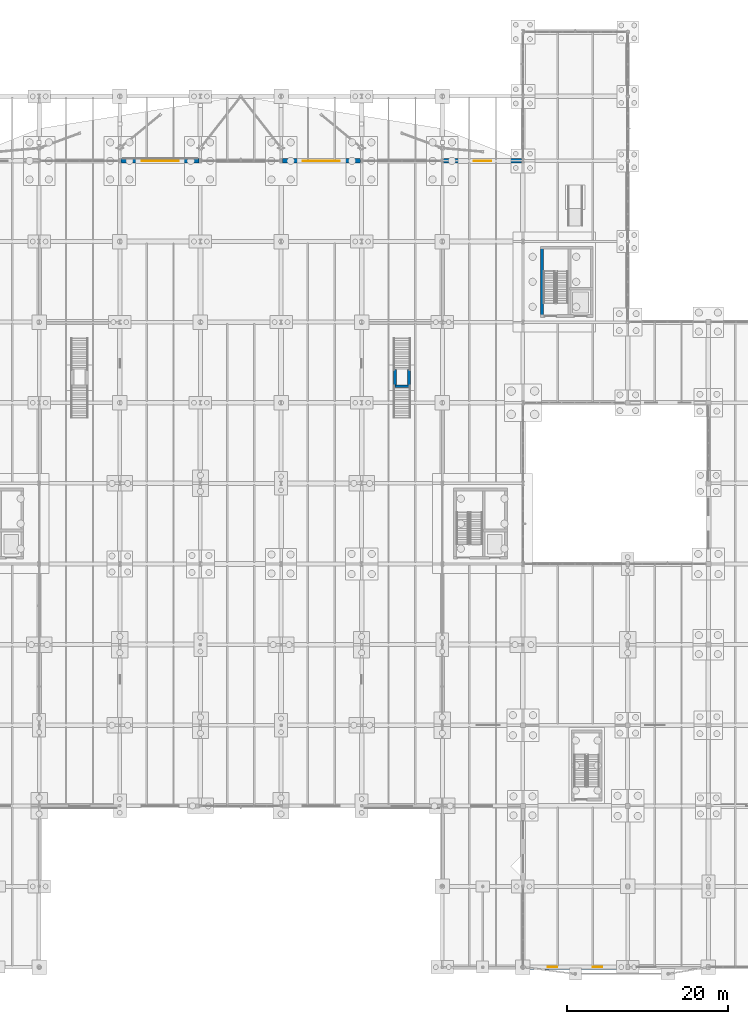
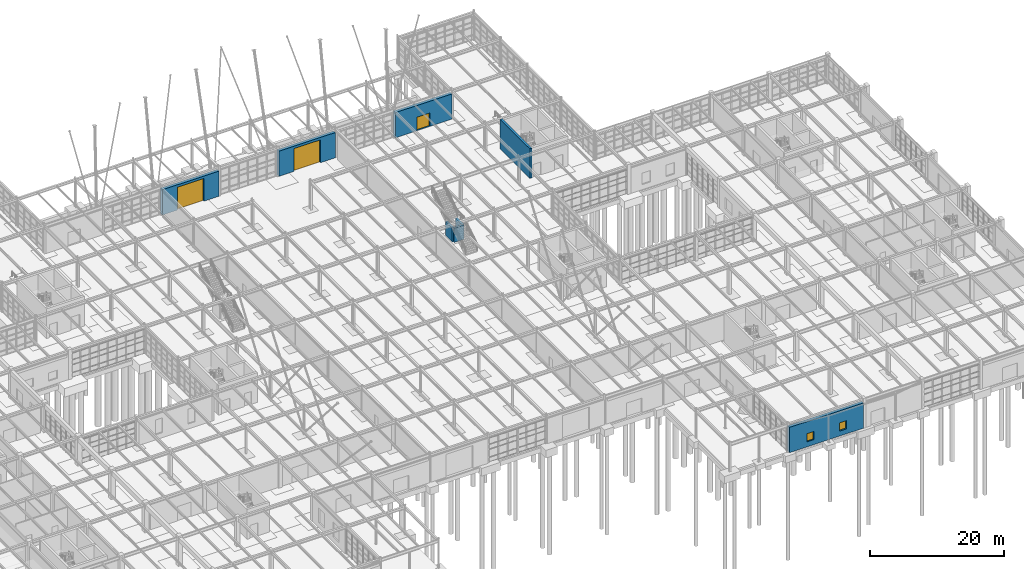
# One storey, part 125 of 145: 8 walls, 3 doors, 2 windows, 5 openings.
"""IFC4 building model written with IfcOpenShell, lengths in metres."""

from ifc_helpers import new_model, si_unit, direction, frame, frame_2d, origin, place, context, subcontext, project, spatial, rectangle, extrude, material, layer, layer_set, type_object, element, fill, save


model = new_model("IFC4")

# Units and contexts
model_context = context("Model", 3, precision=1e-05, world=origin(), true_north=direction((0.0, 1.0)))
body_context = subcontext(model_context, "Body", "Model", "MODEL_VIEW")
ifc_project = project(units=[si_unit("LENGTHUNIT", "METRE"), si_unit("AREAUNIT", "SQUARE_METRE"), si_unit("VOLUMEUNIT", "CUBIC_METRE"), si_unit("PLANEANGLEUNIT", "RADIAN"), si_unit("MASSUNIT", "GRAM", prefix="KILO"), si_unit("THERMODYNAMICTEMPERATUREUNIT", "KELVIN"), si_unit("POWERUNIT", "WATT")], contexts=[model_context])

# Site, building, storey
site_placement = place(None, origin())
site = spatial("IfcSite", under=ifc_project, at=site_placement, CompositionType="ELEMENT")
building_placement = place(site_placement, origin())
building = spatial("IfcBuilding", under=site, at=building_placement, Name="Korenveer Ferry Terminal", CompositionType="ELEMENT")
storey_placement = place(building_placement, origin())
storey = spatial("IfcBuildingStorey", under=building, at=storey_placement, Name="L00", CompositionType="ELEMENT", Elevation=0.0)

# Wall, openings, windows
ifc_material_1 = material(Name="Belgian bluestone flood-plinth masonry", Category="masonry")
ifc_layer_1 = layer(ifc_material_1, 0.56005859375)
ifc_layer_set_1 = layer_set([ifc_layer_1], Name="Belgian bluestone flood-plinth masonry")
wall_type_1 = type_object("IfcWallType", Name="ENV-WL-STN560", PredefinedType="SOLIDWALL", material=ifc_layer_set_1)
wall_1_placement = place(storey_placement, frame((123.125, 0.0, 0.0), z_axis=(0.0, 0.0, 1.0), x_axis=(1.0, 0.0, 0.0)))
wall_1 = element("IfcWall", 1, at=wall_1_placement, inside=storey, type_object=wall_type_1, Name="Exterior facade wall EWL-L00-005", PredefinedType="SOLIDWALL", context=body_context, shape_type="SweptSolid", body=[
    extrude(rectangle(XDim=12.675048828125, YDim=0.56005859375, at=frame_2d((6.33740234375, 0.0))), origin(), (0.0, 0.0, 1.0), 4.580078125),
])
opening_1_placement = place(wall_1_placement, frame((2.948974609375, 0.0, 0.89990234375)))
opening_1 = element("IfcOpeningElement", 2, at=opening_1_placement, cuts=wall_1, Name="Opening WN-05", PredefinedType="OPENING", context=body_context, shape_type="SweptSolid", body=[
    extrude(rectangle(XDim=1.199951171875, YDim=1.5, at=frame_2d((0.60009765625, 0.75))), frame((0.0, 0.2900390625, 0.0), z_axis=(0.0, -1.0, 0.0), x_axis=(1.0, 0.0, 0.0)), (0.0, 0.0, 1.0), 0.580078125),
])
opening_2_placement = place(wall_1_placement, frame((8.52587890625, 0.0, 0.89990234375)))
opening_2 = element("IfcOpeningElement", 3, at=opening_2_placement, cuts=wall_1, Name="Opening WN-05", PredefinedType="OPENING", context=body_context, shape_type="SweptSolid", body=[
    extrude(rectangle(XDim=1.199951171875, YDim=1.5, at=frame_2d((0.60009765625, 0.75))), frame((0.0, 0.2900390625, 0.0), z_axis=(0.0, -1.0, 0.0), x_axis=(1.0, 0.0, 0.0)), (0.0, 0.0, 1.0), 0.580078125),
])
ifc_material_2 = material(Name="Low-iron triple glazing in bronze frame", Category="glass")
window_type = type_object("IfcWindowType", Name="ENV-WN-05", PartitioningType="SINGLE_PANEL", PredefinedType="WINDOW", material=ifc_material_2)
window_1_placement = place(opening_1_placement, origin())
window_1 = element("IfcWindow", 4, at=window_1_placement, inside=storey, type_object=window_type, Name="Lancet facade window 5", OverallHeight=1.5, OverallWidth=1.199951171875, PartitioningType="SINGLE_PANEL", PredefinedType="WINDOW", context=body_context, shape_type="SweptSolid", body=[
    extrude(rectangle(XDim=1.199951171875, YDim=1.5, at=frame_2d((0.60009765625, 0.75))), frame((0.0, 0.030029296875, 0.0), z_axis=(0.0, -1.0, 0.0), x_axis=(1.0, 0.0, 0.0)), (0.0, 0.0, 1.0), 0.06005859375),
])
fill(opening_1, window_1)
window_2_placement = place(opening_2_placement, origin())
window_2 = element("IfcWindow", 5, at=window_2_placement, inside=storey, type_object=window_type, Name="Lancet facade window 6", OverallHeight=1.5, OverallWidth=1.199951171875, PartitioningType="SINGLE_PANEL", PredefinedType="WINDOW", context=body_context, shape_type="SweptSolid", body=[
    extrude(rectangle(XDim=1.199951171875, YDim=1.5, at=frame_2d((0.60009765625, 0.75))), frame((0.0, 0.030029296875, 0.0), z_axis=(0.0, -1.0, 0.0), x_axis=(1.0, 0.0, 0.0)), (0.0, 0.0, 1.0), 0.06005859375),
])
fill(opening_2, window_2)

# Wall, opening, door
wall_2_placement = place(storey_placement, frame((73.14990234375, 100.0, 0.0), z_axis=(0.0, 0.0, 1.0), x_axis=(1.0, 0.0, 0.0)))
wall_2 = element("IfcWall", 6, at=wall_2_placement, inside=storey, type_object=wall_type_1, Name="Exterior facade wall EWL-L00-019", PredefinedType="SOLIDWALL", context=body_context, shape_type="SweptSolid", body=[
    extrude(rectangle(XDim=9.7001953125, YDim=0.56005859375, at=frame_2d((4.85009765625, 0.0))), origin(), (0.0, 0.0, 1.0), 4.580078125),
])
opening_3_placement = place(wall_2_placement, frame((2.550048828125, 0.0, 0.0)))
opening_3 = element("IfcOpeningElement", 7, at=opening_3_placement, cuts=wall_2, Name="Opening VG3", PredefinedType="OPENING", context=body_context, shape_type="SweptSolid", body=[
    extrude(rectangle(XDim=4.60009765625, YDim=4.14990234375, at=frame_2d((2.300048828125, 2.074951171875))), frame((0.0, 0.2900390625, 0.0), z_axis=(0.0, -1.0, 0.0), x_axis=(1.0, 0.0, 0.0)), (0.0, 0.0, 1.0), 0.580078125),
])
ifc_material_3 = material(Name="Insulated marine steel shutter", Category="steel")
door_type_1 = type_object("IfcDoorType", Name="ENV-DR-SHT460", OperationType="ROLLINGUP", PredefinedType="USERDEFINED", material=ifc_material_3)
door_1_placement = place(opening_3_placement, origin())
door_1 = element("IfcDoor", 8, at=door_1_placement, inside=storey, type_object=door_type_1, Name="Quay Linkspan Vehicle Shutter VG3", ObjectType="VEHICLE SHUTTER", OperationType="ROLLINGUP", OverallHeight=4.14990234375, OverallWidth=4.60009765625, PredefinedType="USERDEFINED", context=body_context, shape_type="SweptSolid", body=[
    extrude(rectangle(XDim=4.60009765625, YDim=4.14990234375, at=frame_2d((2.300048828125, 2.074951171875))), frame((0.0, 0.02490234375, 0.0), z_axis=(0.0, -1.0, 0.0), x_axis=(1.0, 0.0, 0.0)), (0.0, 0.0, 1.0), 0.050048828125),
])
fill(opening_3, door_1)

wall_3_placement = place(storey_placement, frame((93.14990234375, 100.0, 0.0), z_axis=(0.0, 0.0, 1.0), x_axis=(1.0, 0.0, 0.0)))
wall_3 = element("IfcWall", 9, at=wall_3_placement, inside=storey, type_object=wall_type_1, Name="Exterior facade wall EWL-L00-020", PredefinedType="SOLIDWALL", context=body_context, shape_type="SweptSolid", body=[
    extrude(rectangle(XDim=9.7001953125, YDim=0.56005859375, at=frame_2d((4.85009765625, 0.0))), origin(), (0.0, 0.0, 1.0), 4.580078125),
])
opening_4_placement = place(wall_3_placement, frame((2.550048828125, 0.0, 0.0)))
opening_4 = element("IfcOpeningElement", 10, at=opening_4_placement, cuts=wall_3, Name="Opening VG4", PredefinedType="OPENING", context=body_context, shape_type="SweptSolid", body=[
    extrude(rectangle(XDim=4.60009765625, YDim=4.14990234375, at=frame_2d((2.300048828125, 2.074951171875))), frame((0.0, 0.2900390625, 0.0), z_axis=(0.0, -1.0, 0.0), x_axis=(1.0, 0.0, 0.0)), (0.0, 0.0, 1.0), 0.580078125),
])
door_2_placement = place(opening_4_placement, origin())
door_2 = element("IfcDoor", 11, at=door_2_placement, inside=storey, type_object=door_type_1, Name="Quay Linkspan Vehicle Shutter VG4", ObjectType="VEHICLE SHUTTER", OperationType="ROLLINGUP", OverallHeight=4.14990234375, OverallWidth=4.60009765625, PredefinedType="USERDEFINED", context=body_context, shape_type="SweptSolid", body=[
    extrude(rectangle(XDim=4.60009765625, YDim=4.14990234375, at=frame_2d((2.300048828125, 2.074951171875))), frame((0.0, 0.02490234375, 0.0), z_axis=(0.0, -1.0, 0.0), x_axis=(1.0, 0.0, 0.0)), (0.0, 0.0, 1.0), 0.050048828125),
])
fill(opening_4, door_2)

wall_4_placement = place(storey_placement, frame((113.14990234375, 100.0, 0.0), z_axis=(0.0, 0.0, 1.0), x_axis=(1.0, 0.0, 0.0)))
wall_4 = element("IfcWall", 12, at=wall_4_placement, inside=storey, type_object=wall_type_1, Name="Exterior facade wall EWL-L00-021", PredefinedType="SOLIDWALL", context=body_context, shape_type="SweptSolid", body=[
    extrude(rectangle(XDim=9.7001953125, YDim=0.56005859375, at=frame_2d((4.85009765625, 0.0))), origin(), (0.0, 0.0, 1.0), 4.580078125),
])
opening_5_placement = place(wall_4_placement, frame((3.75, 0.0, 0.0)))
opening_5 = element("IfcOpeningElement", 13, at=opening_5_placement, cuts=wall_4, Name="Opening E14", PredefinedType="OPENING", context=body_context, shape_type="SweptSolid", body=[
    extrude(rectangle(XDim=2.199951171875, YDim=2.449951171875, at=frame_2d((1.10009765625, 1.22509765625))), frame((0.0, 0.2900390625, 0.0), z_axis=(0.0, -1.0, 0.0), x_axis=(1.0, 0.0, 0.0)), (0.0, 0.0, 1.0), 0.580078125),
])
ifc_material_4 = material(Name="Thermally broken bronze glazed door", Category="aluminium")
door_type_2 = type_object("IfcDoorType", Name="ENV-DR-EXIT220", OperationType="DOUBLE_DOOR_SINGLE_SWING", PredefinedType="DOOR", material=ifc_material_4)
door_3_placement = place(opening_5_placement, origin())
door_3 = element("IfcDoor", 14, at=door_3_placement, inside=storey, type_object=door_type_2, Name="East Waterfront Quay Promenade Exit E14", OperationType="DOUBLE_DOOR_SINGLE_SWING", OverallHeight=2.449951171875, OverallWidth=2.199951171875, PredefinedType="DOOR", context=body_context, shape_type="SweptSolid", body=[
    extrude(rectangle(XDim=2.199951171875, YDim=2.449951171875, at=frame_2d((1.10009765625, 1.22509765625))), frame((0.0, 0.02490234375, 0.0), z_axis=(0.0, -1.0, 0.0), x_axis=(1.0, 0.0, 0.0)), (0.0, 0.0, 1.0), 0.050048828125),
])
fill(opening_5, door_3)

# Walls
ifc_material_5 = material(Name="Concrete C45/55", Category="concrete")
ifc_layer_2 = layer(ifc_material_5, 0.360107421875)
ifc_layer_set_2 = layer_set([ifc_layer_2], Name="Concrete C45/55")
wall_type_2 = type_object("IfcWallType", Name="INT-WL-CORE360", PredefinedType="SHEAR", material=ifc_layer_set_2)
wall_5_placement = place(storey_placement, frame((125.3798828125, 80.60009765625, 0.0), z_axis=(0.0, 0.0, 1.0), x_axis=(0.0, 1.0, 0.0)))
element("IfcWall", 15, at=wall_5_placement, inside=storey, type_object=wall_type_2, Name="East Berth Pier Core K8 west shear wall L00", PredefinedType="SHEAR", context=body_context, shape_type="SweptSolid", body=[
    extrude(rectangle(XDim=8.7998046875, YDim=0.360107421875, at=frame_2d((4.39990234375, 0.0))), origin(), (0.0, 0.0, 1.0), 5.39990234375),
])
for number, where, z_axis, x_axis, name in (
    (16, (107.14990234375, 72.10009765625, 0.0), (0.0, 0.0, 1.0), (0.0, 1.0, 0.0), "Feature stair landing pier SWL-FST-2-1"),
    (17, (108.85009765625, 72.10009765625, 0.0), (0.0, 0.0, 1.0), (0.0, 1.0, 0.0), "Feature stair landing pier SWL-FST-2-2"),
):
    element("IfcWall", number, at=place(storey_placement, frame(where, z_axis=z_axis, x_axis=x_axis)), inside=storey, type_object=wall_type_2, Name=name, PredefinedType="SHEAR", context=body_context, shape_type="SweptSolid", body=[
        extrude(rectangle(XDim=2.0, YDim=0.360107421875, at=frame_2d((1.0, 0.0))), origin(), (0.0, 0.0, 1.0), 2.52001953125),
    ])
wall_6_placement = place(storey_placement, frame((107.14990234375, 72.050048828125, 0.0), z_axis=(0.0, 0.0, 1.0), x_axis=(1.0, 0.0, 0.0)))
element("IfcWall", 18, at=wall_6_placement, inside=storey, type_object=wall_type_2, Name="Feature stair cross pier 2", PredefinedType="SHEAR", context=body_context, shape_type="SweptSolid", body=[
    extrude(rectangle(XDim=1.7001953125, YDim=0.360107421875, at=frame_2d((0.85009765625, 0.0))), origin(), (0.0, 0.0, 1.0), 2.52001953125),
])

save(model, "model.ifc")
